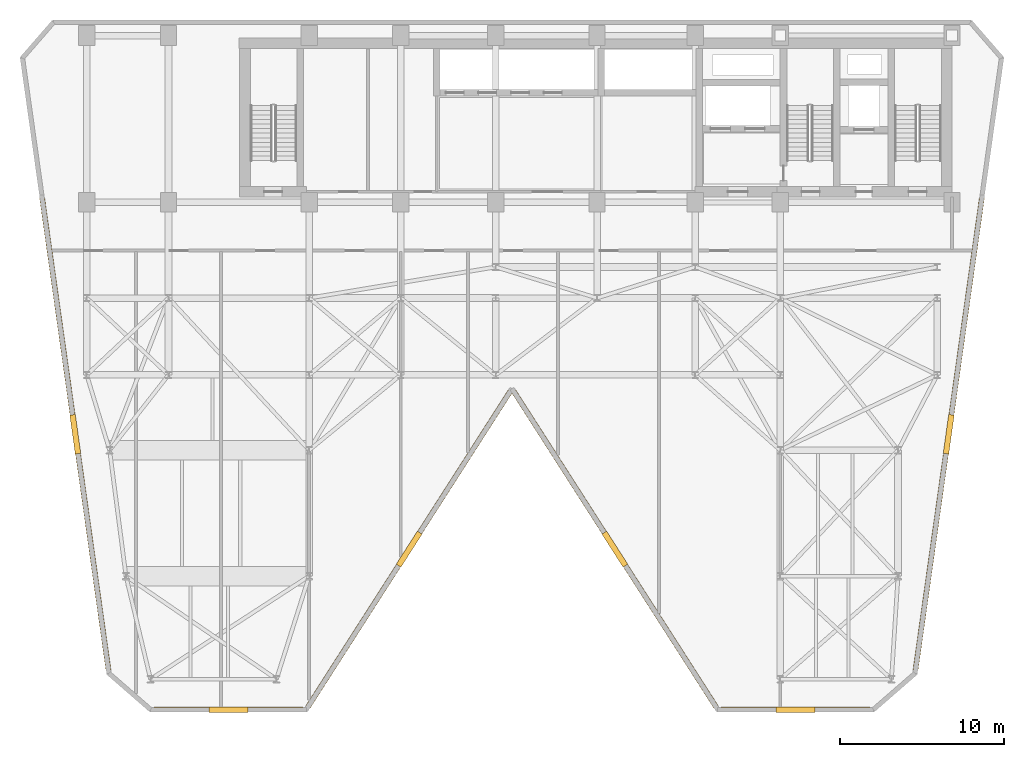
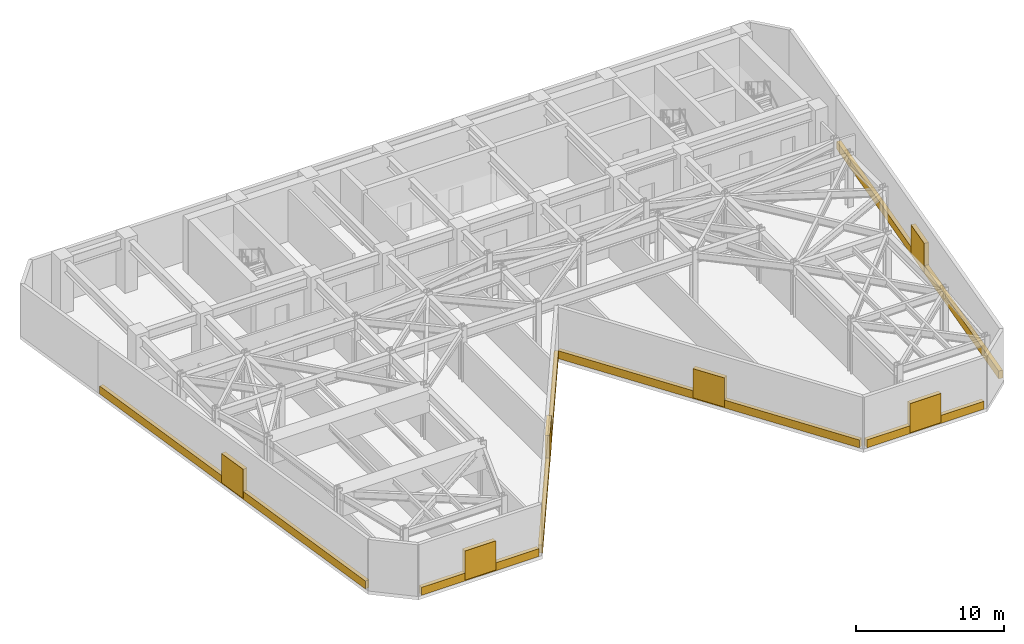
# One storey, part 6 of 8: 6 coverings, 6 shading devices.
"""IFC4 building model written with IfcOpenShell, lengths in metres."""

from ifc_helpers import new_model, si_unit, direction, frame, origin, origin_2d, place, context, subcontext, project, spatial, rectangle, extrude, material, layer, layer_set, type_object, element, save


model = new_model("IFC4")

# Units and contexts
model_context = context("Model", 3, precision=1e-05, world=origin(), true_north=direction((0.0, 1.0)))
body_context = subcontext(model_context, "Body", "Model", "MODEL_VIEW")
ifc_project = project(units=[si_unit("LENGTHUNIT", "METRE"), si_unit("AREAUNIT", "SQUARE_METRE"), si_unit("VOLUMEUNIT", "CUBIC_METRE"), si_unit("PLANEANGLEUNIT", "RADIAN"), si_unit("MASSUNIT", "GRAM", prefix="KILO")], contexts=[model_context])

# Site, building, storey
site_placement = place(None, origin())
site = spatial("IfcSite", under=ifc_project, at=site_placement, CompositionType="ELEMENT")
building_placement = place(site_placement, origin())
building = spatial("IfcBuilding", under=site, at=building_placement, Name="Kravanh Interchange Tower", CompositionType="ELEMENT")
storey_placement = place(building_placement, frame((0.0, 0.0, 156.0)))
storey = spatial("IfcBuildingStorey", under=building, at=storey_placement, Name="L37", CompositionType="ELEMENT", Elevation=156.0)

# Shading devices
ifc_material_1 = material(Name="Extruded Bronze Aluminium Acoustic Blades", Category="aluminium")
ifc_layer_1 = layer(ifc_material_1, 0.219970703125)
ifc_layer_set_1 = layer_set([ifc_layer_1], Name="Acoustic Weatherproof Plant Louvre Bank")
shading_device_type = type_object("IfcShadingDeviceType", Name="Acoustic Weatherproof Plant Louvre Bank", PredefinedType="JALOUSIE", material=ifc_layer_set_1)
for number, where, z_axis, x_axis, name in (
    (1, (12.900634765625, 23.174560546875, 0.10009765625), (0.0, 0.0, 1.0), (-0.139173468924, 0.990268017027, 0.0), "L37 Exterior Acoustic Louvre 1"),
    (2, (66.29931640625, 23.174560546875, 0.10009765625), (0.0, 0.0, 1.0), (-0.139173468924, -0.990268017027, 0.0), "L37 Exterior Acoustic Louvre 7"),
    (3, (56.939697265625, 6.340087890625, 0.10009765625), (0.0, 0.0, 1.0), (-1.0, 0.0, 0.0), "L37 Exterior Acoustic Louvre 9"),
    (4, (45.88818359375, 16.149658203125, 0.10009765625), (0.0, 0.0, 1.0), (-0.539666114725, 0.841879138961, 0.0), "L37 Exterior Acoustic Louvre 10"),
    (5, (33.311767578125, 16.149658203125, 0.10009765625), (0.0, 0.0, 1.0), (-0.539666114725, -0.841879138961, 0.0), "L37 Exterior Acoustic Louvre 11"),
    (6, (22.26025390625, 6.340087890625, 0.10009765625), (0.0, 0.0, 1.0), (-1.0, 0.0, 0.0), "L37 Exterior Acoustic Louvre 12"),
):
    element("IfcShadingDevice", number, at=place(storey_placement, frame(where, z_axis=z_axis, x_axis=x_axis)), inside=storey, type_object=shading_device_type, Name=name, PredefinedType="JALOUSIE", context=body_context, shape_type="SweptSolid", body=[
        extrude(rectangle(XDim=2.39990234375, YDim=0.340087890625, at=origin_2d()), origin(), (0.0, 0.0, 1.0), 2.39990234375),
    ])

# Coverings
ifc_material_2 = material(Name="Anodised Champagne Bronze Aluminium", Category="aluminium")
ifc_layer_2 = layer(ifc_material_2, 0.02490234375)
ifc_layer_set_2 = layer_set([ifc_layer_2], Name="Anodised Bronze Spandrel Fascia Cladding 25mm")
covering_type = type_object("IfcCoveringType", Name="Anodised Bronze Spandrel Fascia Cladding 25mm", PredefinedType="CLADDING", material=ifc_layer_set_2)
for number, where, z_axis, x_axis, name in (
    (7, (12.900634765625, 23.174560546875, 0.025146484375), (0.0, 0.0, 1.0), (-0.139173468924, 0.990268017027, 0.0), "L37 Bronze Fascia Cladding 1"),
    (8, (66.29931640625, 23.174560546875, 0.025146484375), (0.0, 0.0, 1.0), (-0.139173468924, -0.990268017027, 0.0), "L37 Bronze Fascia Cladding 7"),
):
    element("IfcCovering", number, at=place(storey_placement, frame(where, z_axis=z_axis, x_axis=x_axis)), inside=storey, type_object=covering_type, Name=name, PredefinedType="CLADDING", context=body_context, shape_type="SweptSolid", body=[
        extrude(rectangle(XDim=29.138916015625, YDim=0.31005859375, at=origin_2d()), origin(), (0.0, 0.0, 1.0), 0.64990234375),
    ])
covering_1_placement = place(storey_placement, frame((56.939697265625, 6.340087890625, 0.025146484375), z_axis=(0.0, 0.0, 1.0), x_axis=(-1.0, 0.0, 0.0)))
element("IfcCovering", 9, at=covering_1_placement, inside=storey, type_object=covering_type, Name="L37 Bronze Fascia Cladding 9", PredefinedType="CLADDING", context=body_context, shape_type="SweptSolid", body=[
    extrude(rectangle(XDim=9.1259765625, YDim=0.31005859375, at=origin_2d()), origin(), (0.0, 0.0, 1.0), 0.64990234375),
])
for number, where, z_axis, x_axis, name in (
    (10, (45.88818359375, 16.149658203125, 0.025146484375), (0.0, 0.0, 1.0), (-0.539666114725, 0.841879138961, 0.0), "L37 Bronze Fascia Cladding 10"),
    (11, (33.311767578125, 16.149658203125, 0.025146484375), (0.0, 0.0, 1.0), (-0.539666114725, -0.841879138961, 0.0), "L37 Bronze Fascia Cladding 11"),
):
    element("IfcCovering", number, at=place(storey_placement, frame(where, z_axis=z_axis, x_axis=x_axis)), inside=storey, type_object=covering_type, Name=name, PredefinedType="CLADDING", context=body_context, shape_type="SweptSolid", body=[
        extrude(rectangle(XDim=22.904052734375, YDim=0.31005859375, at=origin_2d()), origin(), (0.0, 0.0, 1.0), 0.64990234375),
    ])
covering_2_placement = place(storey_placement, frame((22.26025390625, 6.340087890625, 0.025146484375), z_axis=(0.0, 0.0, 1.0), x_axis=(-1.0, 0.0, 0.0)))
element("IfcCovering", 12, at=covering_2_placement, inside=storey, type_object=covering_type, Name="L37 Bronze Fascia Cladding 12", PredefinedType="CLADDING", context=body_context, shape_type="SweptSolid", body=[
    extrude(rectangle(XDim=9.1259765625, YDim=0.31005859375, at=origin_2d()), origin(), (0.0, 0.0, 1.0), 0.64990234375),
])

save(model, "model.ifc")
